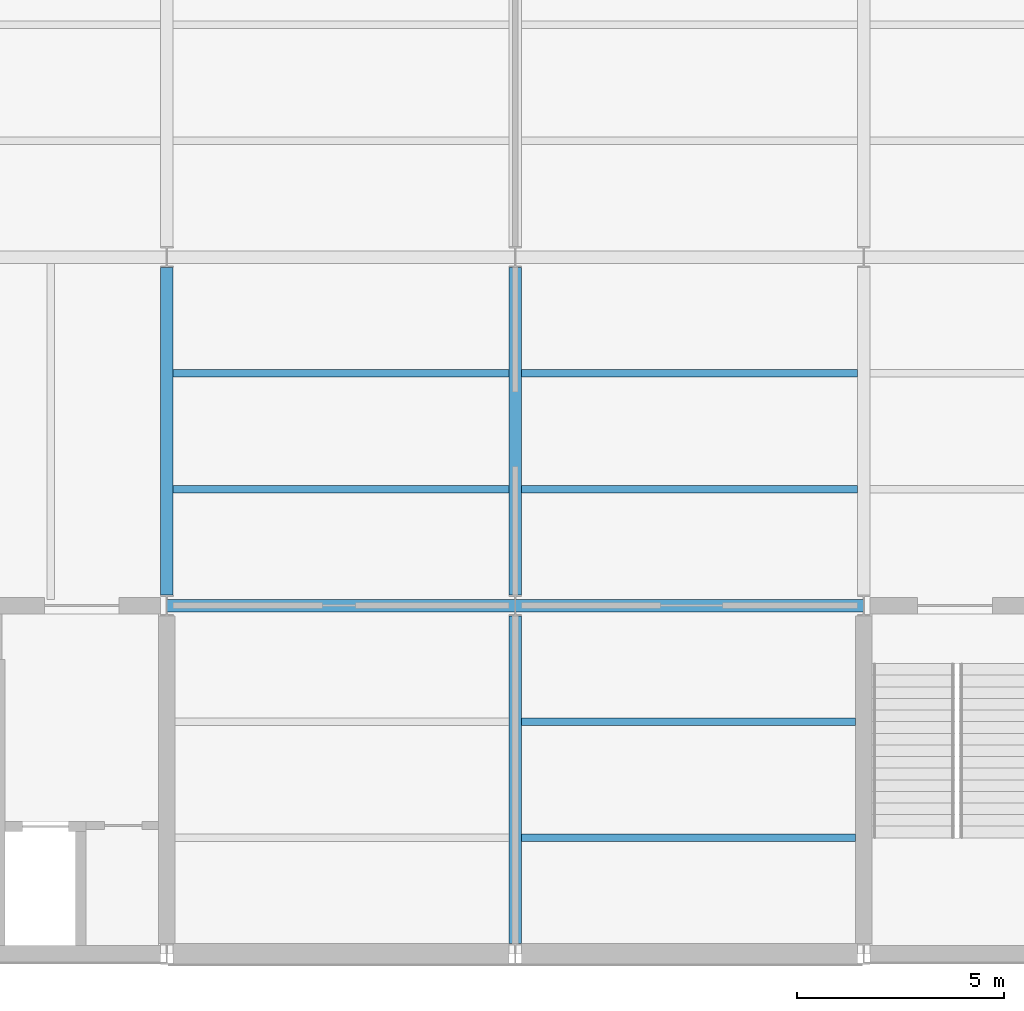
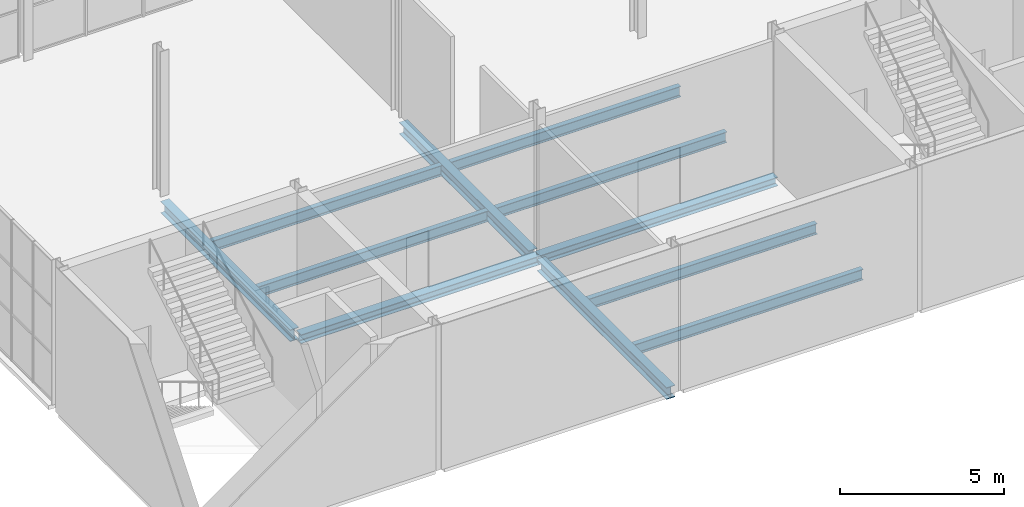
# One storey, part 10 of 64: 11 beams.
"""IFC4 building model written with IfcOpenShell, lengths in metres."""

from ifc_helpers import new_model, si_unit, direction, frame, origin, origin_2d, place, context, subcontext, project, spatial, i_section, extrude, material, material_profile, profile_set, type_object, element, save


model = new_model("IFC4")

# Units and contexts
model_context = context("Model", 3, precision=1e-05, world=origin(), true_north=direction((0.0, 1.0)))
body_context = subcontext(model_context, "Body", "Model", "MODEL_VIEW")
ifc_project = project(units=[si_unit("LENGTHUNIT", "METRE"), si_unit("AREAUNIT", "SQUARE_METRE"), si_unit("VOLUMEUNIT", "CUBIC_METRE"), si_unit("PLANEANGLEUNIT", "RADIAN"), si_unit("MASSUNIT", "GRAM", prefix="KILO")], contexts=[model_context])

# Site, building, storey
site_placement = place(None, origin())
site = spatial("IfcSite", under=ifc_project, at=site_placement, CompositionType="ELEMENT")
building_placement = place(site_placement, origin())
building = spatial("IfcBuilding", under=site, at=building_placement, Name="Galleria Vessillo Department Store", CompositionType="ELEMENT")
storey_placement = place(building_placement, frame((0.0, 0.0, 6.0)))
storey = spatial("IfcBuildingStorey", under=building, at=storey_placement, Name="L01", CompositionType="ELEMENT", Elevation=6.0)

# Beams
ifc_material_1 = material(Name="Steel S355 J2", Category="steel")
ifc_material_profile_1 = material_profile(ifc_material_1, i_section(OverallWidth=0.300048828125, OverallDepth=0.43994140625, WebThickness=0.011474609375, FlangeThickness=0.02099609375, FilletRadius=0.027099609375, at=origin_2d()), Name="HEA 450")
ifc_profile_set_1 = profile_set([ifc_material_profile_1], Name="Steel S355 J2")
beam_type_1 = type_object("IfcBeamType", Name="Floor girder HEA 450", PredefinedType="BEAM", material=ifc_profile_set_1)
for number, where, z_axis, x_axis, name in (
    (1, (16.800048828125, 8.650146484375, -0.369873046875), (0.0, 1.0, 0.0), (-1.0, 0.0, 0.0), "S-BM-L01-GI-y16800-8650"),
    (2, (25.199951171875, 0.250244140625, -0.369873046875), (0.0, 1.0, 0.0), (-1.0, 0.0, 0.0), "S-BM-L01-GI-y25200-250"),
    (3, (25.199951171875, 8.650146484375, -0.369873046875), (0.0, 1.0, 0.0), (-1.0, 0.0, 0.0), "S-BM-L01-GI-y25200-8650"),
):
    element("IfcBeam", number, at=place(storey_placement, frame(where, z_axis=z_axis, x_axis=x_axis)), inside=storey, type_object=beam_type_1, Name=name, PredefinedType="BEAM", context=body_context, shape_type="SweptSolid", body=[
        extrude(i_section(OverallWidth=0.300048828125, OverallDepth=0.43994140625, WebThickness=0.011474609375, FlangeThickness=0.02099609375, FilletRadius=0.027099609375, at=origin_2d()), origin(), (0.0, 0.0, 1.0), 7.899658203125),
    ])
ifc_material_2 = material(Name="Steel S355 J2", Category="steel")
ifc_material_profile_2 = material_profile(ifc_material_2, i_section(OverallWidth=0.179931640625, OverallDepth=0.39990234375, WebThickness=0.008544921875, FlangeThickness=0.013427734375, FilletRadius=0.02099609375, at=origin_2d()), Name="IPE 400")
ifc_profile_set_2 = profile_set([ifc_material_profile_2], Name="Steel S355 J2")
beam_type_2 = type_object("IfcBeamType", Name="Floor joist IPE 400", PredefinedType="JOIST", material=ifc_profile_set_2)
for number, where, z_axis, x_axis, name in (
    (4, (16.9501953125, 11.199951171875, -0.349853515625), (1.0, 0.0, 0.0), (0.0, 1.0, 0.0), "S-BM-L01-JO-x11200-16950"),
    (5, (16.9501953125, 14.0, -0.349853515625), (1.0, 0.0, 0.0), (0.0, 1.0, 0.0), "S-BM-L01-JO-x14000-16950"),
):
    element("IfcBeam", number, at=place(storey_placement, frame(where, z_axis=z_axis, x_axis=x_axis)), inside=storey, type_object=beam_type_2, Name=name, PredefinedType="JOIST", context=body_context, shape_type="SweptSolid", body=[
        extrude(i_section(OverallWidth=0.179931640625, OverallDepth=0.39990234375, WebThickness=0.008544921875, FlangeThickness=0.013427734375, FilletRadius=0.02099609375, at=origin_2d()), origin(), (0.0, 0.0, 1.0), 8.099609375),
    ])
for number, where, z_axis, x_axis, name in (
    (6, (25.35009765625, 2.800048828125, -0.349853515625), (1.0, 0.0, 0.0), (0.0, 1.0, 0.0), "S-BM-L01-JO-x2800-25350"),
    (7, (25.35009765625, 5.60009765625, -0.349853515625), (1.0, 0.0, 0.0), (0.0, 1.0, 0.0), "S-BM-L01-JO-x5600-25350"),
):
    element("IfcBeam", number, at=place(storey_placement, frame(where, z_axis=z_axis, x_axis=x_axis)), inside=storey, type_object=beam_type_2, Name=name, PredefinedType="JOIST", context=body_context, shape_type="SweptSolid", body=[
        extrude(i_section(OverallWidth=0.179931640625, OverallDepth=0.39990234375, WebThickness=0.008544921875, FlangeThickness=0.013427734375, FilletRadius=0.02099609375, at=origin_2d()), origin(), (0.0, 0.0, 1.0), 8.0498046875),
    ])
for number, where, z_axis, x_axis, name in (
    (8, (25.35009765625, 11.199951171875, -0.349853515625), (1.0, 0.0, 0.0), (0.0, 1.0, 0.0), "S-BM-L01-JO-x11200-25350"),
    (9, (25.35009765625, 14.0, -0.349853515625), (1.0, 0.0, 0.0), (0.0, 1.0, 0.0), "S-BM-L01-JO-x14000-25350"),
):
    element("IfcBeam", number, at=place(storey_placement, frame(where, z_axis=z_axis, x_axis=x_axis)), inside=storey, type_object=beam_type_2, Name=name, PredefinedType="JOIST", context=body_context, shape_type="SweptSolid", body=[
        extrude(i_section(OverallWidth=0.179931640625, OverallDepth=0.39990234375, WebThickness=0.008544921875, FlangeThickness=0.013427734375, FilletRadius=0.02099609375, at=origin_2d()), origin(), (0.0, 0.0, 1.0), 8.099853515625),
    ])
ifc_material_3 = material(Name="Steel S355 J2", Category="steel")
ifc_material_profile_3 = material_profile(ifc_material_3, i_section(OverallWidth=0.300048828125, OverallDepth=0.330078125, WebThickness=0.009521484375, FlangeThickness=0.0166015625, FilletRadius=0.027099609375, at=origin_2d()), Name="HEA 340")
ifc_profile_set_3 = profile_set([ifc_material_profile_3], Name="Steel S355 J2")
beam_type_3 = type_object("IfcBeamType", Name="Floor tie girder HEA 340", PredefinedType="BEAM", material=ifc_profile_set_3)
for number, where, z_axis, x_axis, name in (
    (10, (16.807373046875, 8.39990234375, -0.31494140625), (1.0, 0.0, 0.0), (0.0, 1.0, 0.0), "S-BM-L01-TI-x8400-16807"),
    (11, (25.207275390625, 8.39990234375, -0.31494140625), (1.0, 0.0, 0.0), (0.0, 1.0, 0.0), "S-BM-L01-TI-x8400-25207"),
):
    element("IfcBeam", number, at=place(storey_placement, frame(where, z_axis=z_axis, x_axis=x_axis)), inside=storey, type_object=beam_type_3, Name=name, PredefinedType="BEAM", context=body_context, shape_type="SweptSolid", body=[
        extrude(i_section(OverallWidth=0.300048828125, OverallDepth=0.330078125, WebThickness=0.009521484375, FlangeThickness=0.0166015625, FilletRadius=0.027099609375, at=origin_2d()), origin(), (0.0, 0.0, 1.0), 8.38525390625),
    ])

save(model, "model.ifc")
